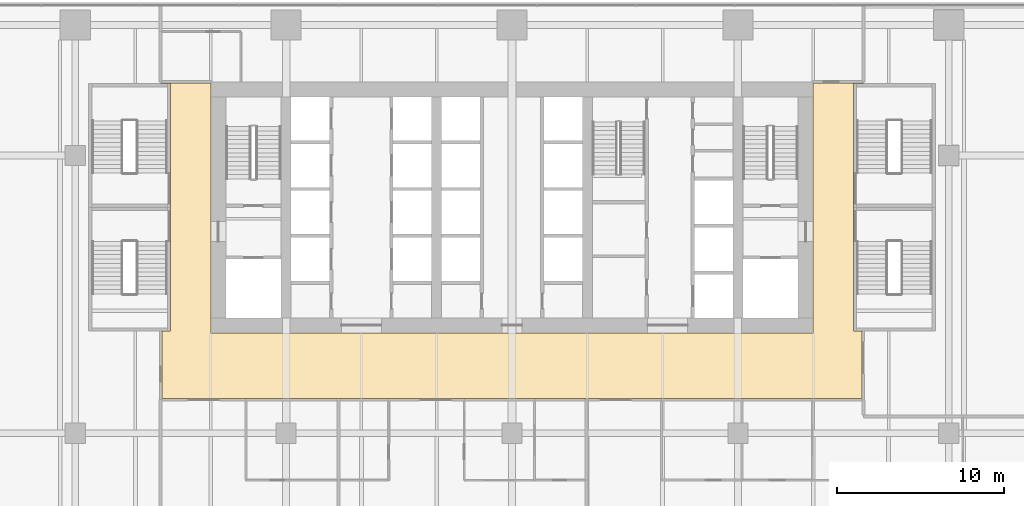
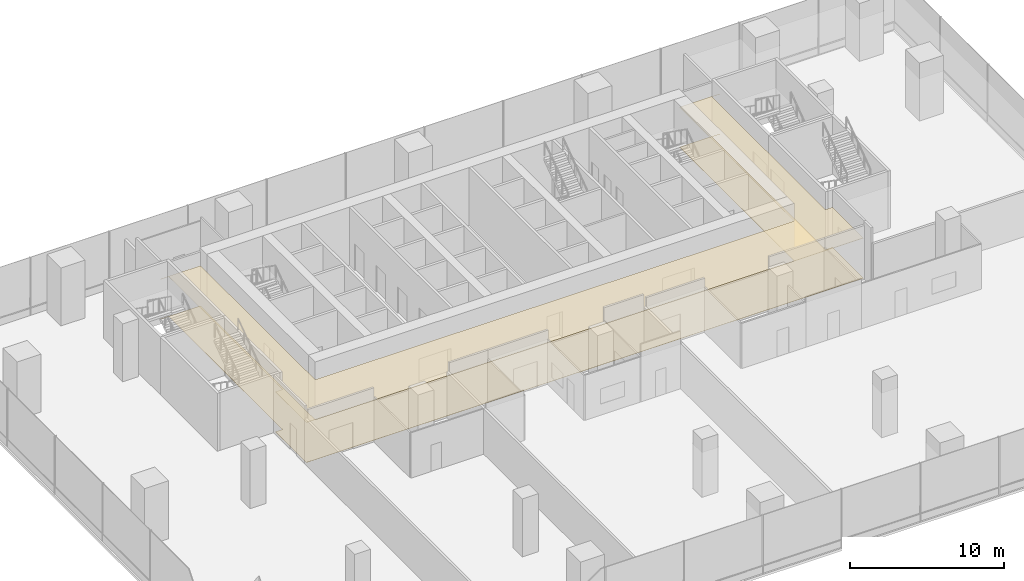
# One storey, part 27 of 29: 2 coverings.
"""IFC4 building model written with IfcOpenShell, lengths in metres."""

from ifc_helpers import new_model, si_unit, direction, frame, origin, place, context, subcontext, project, spatial, polyline, outline, extrude, material, layer, layer_set, type_object, element, save


model = new_model("IFC4")

# Units and contexts
model_context = context("Model", 3, precision=1e-05, world=origin(), true_north=direction((0.0, 1.0)))
body_context = subcontext(model_context, "Body", "Model", "MODEL_VIEW")
ifc_project = project(units=[si_unit("LENGTHUNIT", "METRE"), si_unit("AREAUNIT", "SQUARE_METRE"), si_unit("VOLUMEUNIT", "CUBIC_METRE"), si_unit("PLANEANGLEUNIT", "RADIAN"), si_unit("MASSUNIT", "GRAM", prefix="KILO")], contexts=[model_context])

# Site, building, storey
site_placement = place(None, origin())
site = spatial("IfcSite", under=ifc_project, at=site_placement, CompositionType="ELEMENT")
building_placement = place(site_placement, origin())
building = spatial("IfcBuilding", under=site, at=building_placement, Name="Rattan Terrace Tower", CompositionType="ELEMENT")
storey_placement = place(building_placement, frame((0.0, 0.0, 12.60009765625)))
storey = spatial("IfcBuildingStorey", under=building, at=storey_placement, Name="L02", CompositionType="ELEMENT", Elevation=12.60009765625)

# Coverings
ifc_material_1 = material(Name="Polished limestone", Category="masonry")
ifc_layer_1 = layer(ifc_material_1, 0.02001953125)
ifc_layer_set_1 = layer_set([ifc_layer_1], Name="Lobby Floor Finish Stone 20")
covering_type_1 = type_object("IfcCoveringType", Name="Lobby Floor Finish Stone 20", PredefinedType="FLOORING", material=ifc_layer_set_1)
covering_1_placement = place(storey_placement, origin())
element("IfcCovering", 1, at=covering_1_placement, inside=storey, type_object=covering_type_1, Name="Floor finish L02-101", PredefinedType="FLOORING", context=body_context, shape_type="SweptSolid", body=[
    extrude(outline(polyline([(-20.39990234375, 7.39990234375), (-20.39990234375, 0.0), (-20.39990234375, -7.39990234375), (-20.925048828125, -7.39990234375), (-20.925048828125, -11.425048828125), (20.925048828125, -11.425048828125), (20.925048828125, -7.39990234375), (20.39990234375, -7.39990234375), (20.39990234375, 0.0), (20.39990234375, 7.39990234375), (21.0, 7.39990234375), (21.0, 7.425048828125), (18.0, 7.425048828125), (18.0, -7.5), (-18.0, -7.5), (-18.0, 7.425048828125), (-21.0, 7.425048828125), (-21.0, 7.39990234375), (-20.39990234375, 7.39990234375)])), origin(), (0.0, 0.0, 1.0), 0.02001953125),
])
ifc_material_2 = material(Name="Gypsum board, painted")
ifc_layer_2 = layer(ifc_material_2, 0.02490234375)
ifc_layer_set_2 = layer_set([ifc_layer_2], Name="Suspended Ceiling Gypsum 25")
covering_type_2 = type_object("IfcCoveringType", Name="Suspended Ceiling Gypsum 25", PredefinedType="CEILING", material=ifc_layer_set_2)
covering_2_placement = place(storey_placement, frame((0.0, 0.0, 3.1748046875)))
element("IfcCovering", 2, at=covering_2_placement, inside=storey, type_object=covering_type_2, Name="Ceiling L02-101", PredefinedType="CEILING", context=body_context, shape_type="SweptSolid", body=[
    extrude(outline(polyline([(-20.39990234375, 7.39990234375), (-20.39990234375, 0.0), (-20.39990234375, -7.39990234375), (-20.925048828125, -7.39990234375), (-20.925048828125, -11.425048828125), (20.925048828125, -11.425048828125), (20.925048828125, -7.39990234375), (20.39990234375, -7.39990234375), (20.39990234375, 0.0), (20.39990234375, 7.39990234375), (21.0, 7.39990234375), (21.0, 7.425048828125), (18.0, 7.425048828125), (18.0, -7.5), (-18.0, -7.5), (-18.0, 7.425048828125), (-21.0, 7.425048828125), (-21.0, 7.39990234375), (-20.39990234375, 7.39990234375)])), origin(), (0.0, 0.0, 1.0), 0.025146484375),
])

save(model, "model.ifc")
